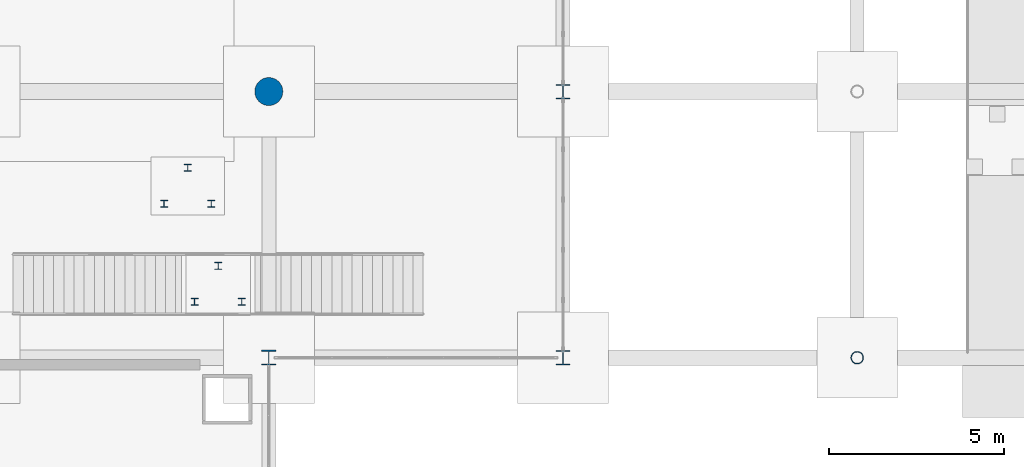
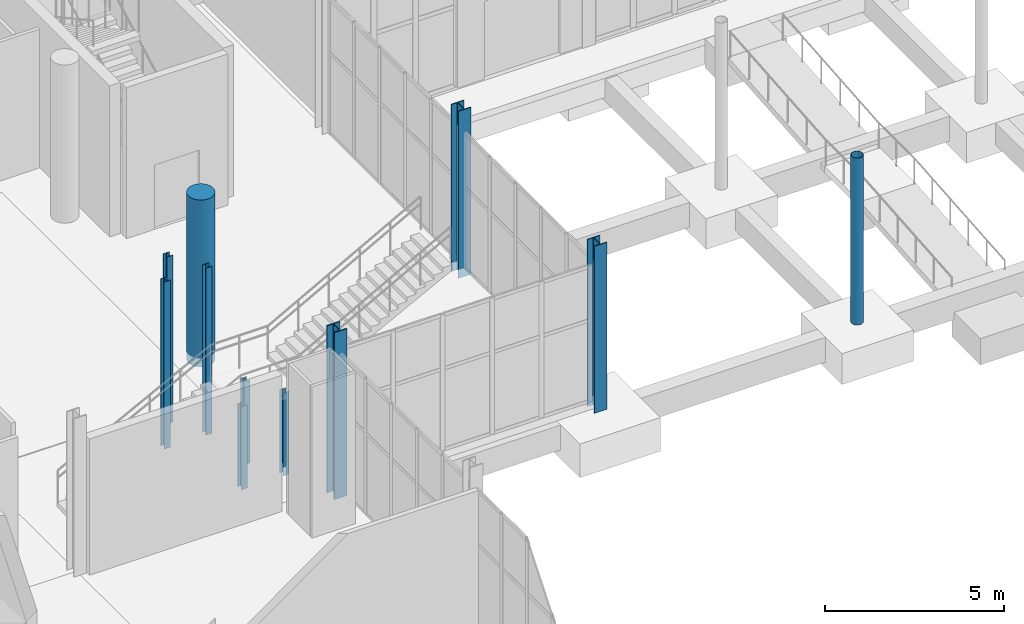
# One storey, part 8 of 95: 11 columns.
"""IFC4 building model written with IfcOpenShell, lengths in metres."""

from ifc_helpers import new_model, si_unit, direction, frame, origin, origin_2d, place, context, subcontext, project, spatial, circle, hollow_circle, i_section, extrude, material, material_profile, profile_set, type_object, element, save


model = new_model("IFC4")

# Units and contexts
model_context = context("Model", 3, precision=1e-05, world=origin(), true_north=direction((0.0, 1.0)))
body_context = subcontext(model_context, "Body", "Model", "MODEL_VIEW")
ifc_project = project(units=[si_unit("LENGTHUNIT", "METRE"), si_unit("AREAUNIT", "SQUARE_METRE"), si_unit("VOLUMEUNIT", "CUBIC_METRE"), si_unit("PLANEANGLEUNIT", "RADIAN"), si_unit("MASSUNIT", "GRAM", prefix="KILO")], contexts=[model_context])

# Site, building, storey
site_placement = place(None, origin())
site = spatial("IfcSite", under=ifc_project, at=site_placement, CompositionType="ELEMENT")
building_placement = place(site_placement, origin())
building = spatial("IfcBuilding", under=site, at=building_placement, Name="Shengluoqiao Park Theatre", CompositionType="ELEMENT")
storey_placement = place(building_placement, origin())
storey = spatial("IfcBuildingStorey", under=building, at=storey_placement, Name="L00", CompositionType="ELEMENT", Elevation=0.0)

# Columns
ifc_material_1 = material(Name="Steel Q355", Category="steel")
ifc_material_profile_1 = material_profile(ifc_material_1, hollow_circle(Radius=0.177978515625, WallThickness=0.013916015625, at=origin_2d()), Name="CHS 356x14")
ifc_profile_set_1 = profile_set([ifc_material_profile_1], Name="Steel Q355")
column_type_1 = type_object("IfcColumnType", Name="STR-COL-C-CHS356", PredefinedType="COLUMN", material=ifc_profile_set_1)
column_1_placement = place(storey_placement, frame((52.800048828125, 53.199951171875, -0.300048828125), z_axis=(0.0, 0.0, 1.0), x_axis=(1.0, 0.0, 0.0)))
element("IfcColumn", 1, at=column_1_placement, inside=storey, type_object=column_type_1, Name="L00 Column 0255", PredefinedType="COLUMN", context=body_context, shape_type="SweptSolid", body=[
    extrude(hollow_circle(Radius=0.177978515625, WallThickness=0.013916015625, at=origin_2d()), origin(), (0.0, 0.0, 1.0), 5.699951171875),
])
ifc_material_profile_2 = material_profile(ifc_material_1, i_section(OverallWidth=0.199951171875, OverallDepth=0.199951171875, WebThickness=0.008056640625, FlangeThickness=0.011962890625, FilletRadius=0.012939453125, at=origin_2d()), Name="HW 200x200x8x12")
ifc_profile_set_2 = profile_set([ifc_material_profile_2], Name="Steel Q355")
column_type_2 = type_object("IfcColumnType", Name="STR-COL-C-HW200", PredefinedType="COLUMN", material=ifc_profile_set_2)
for number, where, z_axis, x_axis, name in (
    (2, (33.8798828125, 54.800048828125, -0.300048828125), (0.0, 0.0, 1.0), (1.0, 0.0, 0.0), "ST-07-L00 Landing Column W"),
    (3, (35.22998046875, 54.800048828125, -0.300048828125), (0.0, 0.0, 1.0), (1.0, 0.0, 0.0), "ST-07-L00 Landing Column E"),
    (4, (34.554931640625, 55.820068359375, -0.300048828125), (0.0, 0.0, 1.0), (1.0, 0.0, 0.0), "ST-07-L00 Landing Column N"),
):
    element("IfcColumn", number, at=place(storey_placement, frame(where, z_axis=z_axis, x_axis=x_axis)), inside=storey, type_object=column_type_2, Name=name, PredefinedType="COLUMN", context=body_context, shape_type="SweptSolid", body=[
        extrude(i_section(OverallWidth=0.199951171875, OverallDepth=0.199951171875, WebThickness=0.008056640625, FlangeThickness=0.011962890625, FilletRadius=0.012939453125, at=origin_2d()), origin(), (0.0, 0.0, 1.0), 2.830078125),
    ])
for number, where, z_axis, x_axis, name in (
    (5, (33.010009765625, 57.60009765625, -0.300048828125), (0.0, 0.0, 1.0), (1.0, 0.0, 0.0), "ST-07-L01 L00 Stack Column W"),
    (6, (34.360107421875, 57.60009765625, -0.300048828125), (0.0, 0.0, 1.0), (1.0, 0.0, 0.0), "ST-07-L01 L00 Stack Column E"),
    (7, (33.68505859375, 58.6201171875, -0.300048828125), (0.0, 0.0, 1.0), (1.0, 0.0, 0.0), "ST-07-L01 L00 Stack Column N"),
):
    element("IfcColumn", number, at=place(storey_placement, frame(where, z_axis=z_axis, x_axis=x_axis)), inside=storey, type_object=column_type_2, Name=name, PredefinedType="COLUMN", context=body_context, shape_type="SweptSolid", body=[
        extrude(i_section(OverallWidth=0.199951171875, OverallDepth=0.199951171875, WebThickness=0.008056640625, FlangeThickness=0.011962890625, FilletRadius=0.012939453125, at=origin_2d()), origin(), (0.0, 0.0, 1.0), 5.699951171875),
    ])
ifc_material_2 = material(Name="Steel Q390", Category="steel")
ifc_material_profile_3 = material_profile(ifc_material_2, i_section(OverallWidth=0.405029296875, OverallDepth=0.4140625, WebThickness=0.01806640625, FlangeThickness=0.028076171875, FilletRadius=0.02197265625, at=origin_2d()), Name="HW 414x405x18x28")
ifc_profile_set_3 = profile_set([ifc_material_profile_3], Name="Steel Q390")
column_type_3 = type_object("IfcColumnType", Name="STR-COL-C-HW414", PredefinedType="COLUMN", material=ifc_profile_set_3)
for number, where, z_axis, x_axis, name in (
    (8, (44.39990234375, 53.199951171875, -0.300048828125), (0.0, 0.0, 1.0), (1.0, 0.0, 0.0), "L00 Column 0203"),
    (9, (44.39990234375, 60.800048828125, -0.300048828125), (0.0, 0.0, 1.0), (1.0, 0.0, 0.0), "L00 Column 0207"),
):
    element("IfcColumn", number, at=place(storey_placement, frame(where, z_axis=z_axis, x_axis=x_axis)), inside=storey, type_object=column_type_3, Name=name, PredefinedType="COLUMN", context=body_context, shape_type="SweptSolid", body=[
        extrude(i_section(OverallWidth=0.405029296875, OverallDepth=0.4140625, WebThickness=0.01806640625, FlangeThickness=0.028076171875, FilletRadius=0.02197265625, at=origin_2d()), origin(), (0.0, 0.0, 1.0), 5.699951171875),
    ])
ifc_material_profile_4 = material_profile(ifc_material_2, i_section(OverallWidth=0.406982421875, OverallDepth=0.427978515625, WebThickness=0.02001953125, FlangeThickness=0.034912109375, FilletRadius=0.02197265625, at=origin_2d()), Name="HW 428x407x20x35")
ifc_profile_set_4 = profile_set([ifc_material_profile_4], Name="Steel Q390")
column_type_4 = type_object("IfcColumnType", Name="STR-COL-C-HW428", PredefinedType="COLUMN", material=ifc_profile_set_4)
column_2_placement = place(storey_placement, frame((36.0, 53.199951171875, -0.300048828125), z_axis=(0.0, 0.0, 1.0), x_axis=(1.0, 0.0, 0.0)))
element("IfcColumn", 10, at=column_2_placement, inside=storey, type_object=column_type_4, Name="L00 Column 0171", PredefinedType="COLUMN", context=body_context, shape_type="SweptSolid", body=[
    extrude(i_section(OverallWidth=0.406982421875, OverallDepth=0.427978515625, WebThickness=0.02001953125, FlangeThickness=0.034912109375, FilletRadius=0.02197265625, at=origin_2d()), origin(), (0.0, 0.0, 1.0), 5.699951171875),
])
ifc_material_3 = material(Name="Concrete C50", Category="concrete")
ifc_material_profile_5 = material_profile(ifc_material_3, circle(Radius=0.39990234375, at=origin_2d()), Name="RC COL D800")
ifc_profile_set_5 = profile_set([ifc_material_profile_5], Name="Concrete C50")
column_type_5 = type_object("IfcColumnType", Name="STR-COL-C-RCD800", PredefinedType="COLUMN", material=ifc_profile_set_5)
column_3_placement = place(storey_placement, frame((36.0, 60.800048828125, -0.300048828125), z_axis=(0.0, 0.0, 1.0), x_axis=(1.0, 0.0, 0.0)))
element("IfcColumn", 11, at=column_3_placement, inside=storey, type_object=column_type_5, Name="L00 Column 0175", PredefinedType="COLUMN", context=body_context, shape_type="SweptSolid", body=[
    extrude(circle(Radius=0.39990234375, at=origin_2d()), origin(), (0.0, 0.0, 1.0), 5.699951171875),
])

save(model, "model.ifc")
